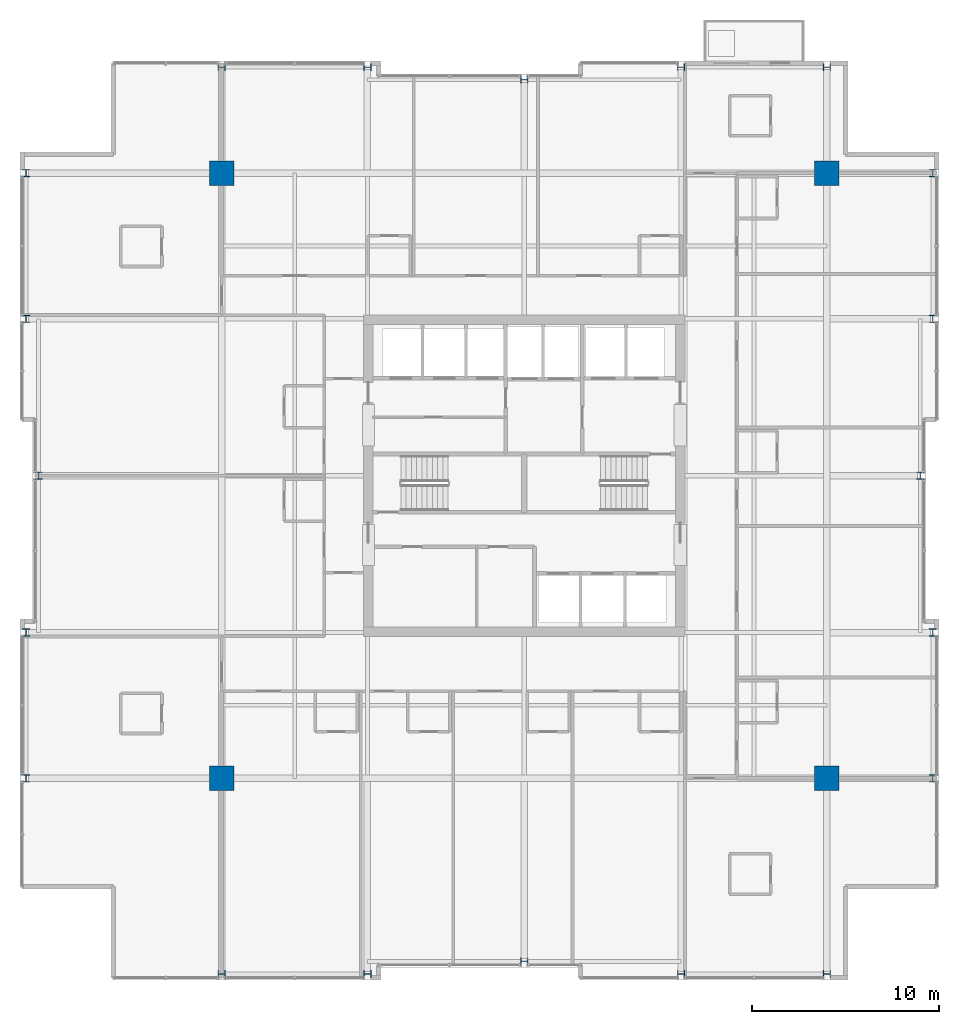
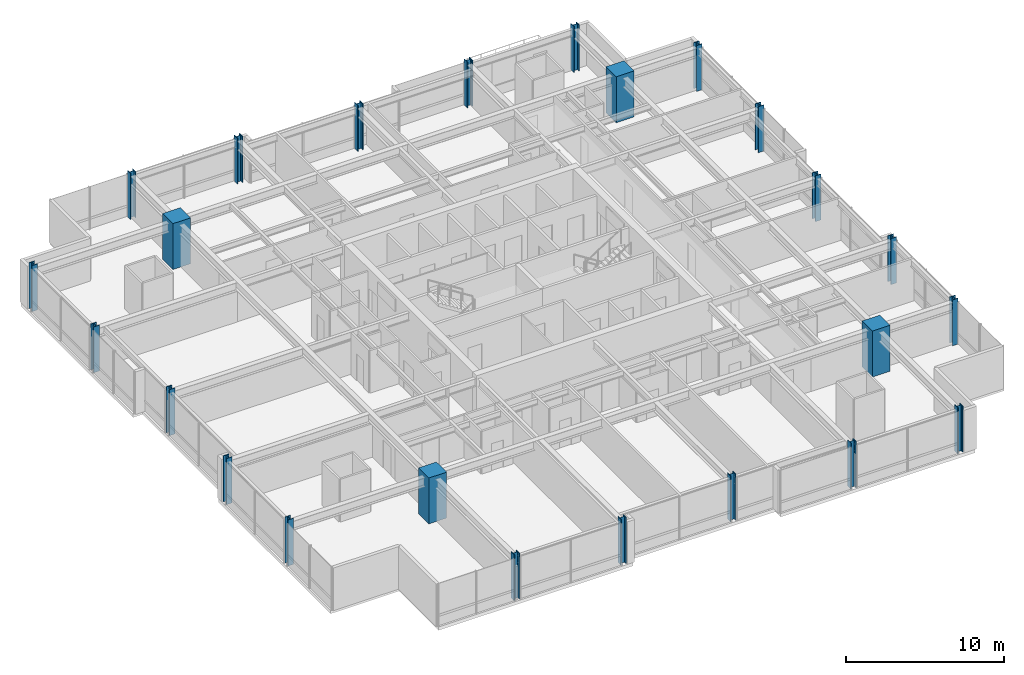
# One storey, part 1 of 33: 24 columns.
"""IFC4 building model written with IfcOpenShell, lengths in metres."""

from ifc_helpers import new_model, si_unit, direction, frame, origin, origin_2d, place, context, subcontext, project, spatial, rectangle, i_section, extrude, material, material_profile, profile_set, type_object, element, save


model = new_model("IFC4")

# Units and contexts
model_context = context("Model", 3, precision=1e-05, world=origin(), true_north=direction((0.0, 1.0)))
body_context = subcontext(model_context, "Body", "Model", "MODEL_VIEW")
ifc_project = project(units=[si_unit("LENGTHUNIT", "METRE"), si_unit("AREAUNIT", "SQUARE_METRE"), si_unit("VOLUMEUNIT", "CUBIC_METRE"), si_unit("PLANEANGLEUNIT", "RADIAN"), si_unit("MASSUNIT", "GRAM", prefix="KILO")], contexts=[model_context])

# Site, building, storey
site_placement = place(None, origin())
site = spatial("IfcSite", under=ifc_project, at=site_placement, CompositionType="ELEMENT")
building_placement = place(site_placement, origin())
building = spatial("IfcBuilding", under=site, at=building_placement, Name="Drelvath Grand Hotel", CompositionType="ELEMENT")
storey_placement = place(building_placement, frame((0.0, 0.0, 171.699951171875)))
storey = spatial("IfcBuildingStorey", under=building, at=storey_placement, Name="L44", CompositionType="ELEMENT", Elevation=171.699951171875)

# Columns
ifc_material_1 = material(Name="Concrete f'c 55 MPa", Category="concrete")
ifc_material_profile_1 = material_profile(ifc_material_1, rectangle(XDim=1.300048828125, YDim=1.300048828125, at=origin_2d()), Name="MC1300X1300")
ifc_profile_set_1 = profile_set([ifc_material_profile_1], Name="Concrete f'c 55 MPa")
column_type_1 = type_object("IfcColumnType", Name="Composite Mega Column MC1300X1300", PredefinedType="COLUMN", material=ifc_profile_set_1)
for number, where, z_axis, x_axis, name in (
    (1, (-16.199951171875, 10.800048828125, 0.0), (0.0, 0.0, 1.0), (1.0, 0.0, 0.0), "L44 Composite Mega Column MC-SW"),
    (2, (16.199951171875, 10.800048828125, 0.0), (0.0, 0.0, 1.0), (1.0, 0.0, 0.0), "L44 Composite Mega Column MC-SE"),
    (3, (-16.199951171875, 43.199951171875, 0.0), (0.0, 0.0, 1.0), (1.0, 0.0, 0.0), "L44 Composite Mega Column MC-NW"),
    (4, (16.199951171875, 43.199951171875, 0.0), (0.0, 0.0, 1.0), (1.0, 0.0, 0.0), "L44 Composite Mega Column MC-NE"),
):
    element("IfcColumn", number, at=place(storey_placement, frame(where, z_axis=z_axis, x_axis=x_axis)), inside=storey, type_object=column_type_1, Name=name, PredefinedType="COLUMN", context=body_context, shape_type="SweptSolid", body=[
        extrude(rectangle(XDim=1.300048828125, YDim=1.300048828125, at=origin_2d()), origin(), (0.0, 0.0, 1.0), 3.550048828125),
    ])
ifc_material_2 = material(Name="Steel ASTM A913 Gr 65", Category="steel")
ifc_material_profile_2 = material_profile(ifc_material_2, i_section(OverallWidth=0.40625, OverallDepth=0.416015625, WebThickness=0.02978515625, FlangeThickness=0.048095703125, FilletRadius=0.028076171875, at=origin_2d()), Name="W14X257")
ifc_profile_set_2 = profile_set([ifc_material_profile_2], Name="Steel ASTM A913 Gr 65")
column_type_2 = type_object("IfcColumnType", Name="Perimeter Steel Column W14X257", PredefinedType="COLUMN", material=ifc_profile_set_2)
for number, where, z_axis, x_axis, name in (
    (5, (-26.679931640625, 10.800048828125, 0.0), (0.0, 0.0, 1.0), (1.0, 0.0, 0.0), "L44 Structural Column TCW-C"),
    (6, (21.8798828125, 10.800048828125, 0.0), (0.0, 0.0, 1.0), (1.0, 0.0, 0.0), "L44 Structural Column TCE-C"),
    (7, (-26.679931640625, 18.60009765625, 0.0), (0.0, 0.0, 1.0), (1.0, 0.0, 0.0), "L44 Structural Column TCW-D"),
    (8, (21.8798828125, 18.60009765625, 0.0), (0.0, 0.0, 1.0), (1.0, 0.0, 0.0), "L44 Structural Column TCE-D"),
    (9, (-26.0, 27.0, 0.0), (0.0, 0.0, 1.0), (1.0, 0.0, 0.0), "L44 Structural Column TCW-E"),
    (10, (21.199951171875, 27.0, 0.0), (0.0, 0.0, 1.0), (1.0, 0.0, 0.0), "L44 Structural Column TCE-E"),
    (11, (-26.679931640625, 35.39990234375, 0.0), (0.0, 0.0, 1.0), (1.0, 0.0, 0.0), "L44 Structural Column TCW-F"),
    (12, (21.8798828125, 35.39990234375, 0.0), (0.0, 0.0, 1.0), (1.0, 0.0, 0.0), "L44 Structural Column TCE-F"),
    (13, (-26.679931640625, 43.199951171875, 0.0), (0.0, 0.0, 1.0), (1.0, 0.0, 0.0), "L44 Structural Column TCW-G"),
    (14, (21.8798828125, 43.199951171875, 0.0), (0.0, 0.0, 1.0), (1.0, 0.0, 0.0), "L44 Structural Column TCE-G"),
    (15, (-16.199951171875, 0.320068359375, 0.0), (0.0, 0.0, 1.0), (0.0, 1.0, 0.0), "L44 Structural Column TCS-3"),
    (16, (-16.199951171875, 48.8798828125, 0.0), (0.0, 0.0, 1.0), (0.0, 1.0, 0.0), "L44 Structural Column TCN-3"),
    (17, (-8.39990234375, 0.320068359375, 0.0), (0.0, 0.0, 1.0), (0.0, 1.0, 0.0), "L44 Structural Column TCS-4"),
    (18, (-8.39990234375, 48.8798828125, 0.0), (0.0, 0.0, 1.0), (0.0, 1.0, 0.0), "L44 Structural Column TCN-4"),
    (19, (0.0, 1.0, 0.0), (0.0, 0.0, 1.0), (0.0, 1.0, 0.0), "L44 Structural Column TCS-5"),
    (20, (0.0, 48.199951171875, 0.0), (0.0, 0.0, 1.0), (0.0, 1.0, 0.0), "L44 Structural Column TCN-5"),
    (21, (8.39990234375, 0.320068359375, 0.0), (0.0, 0.0, 1.0), (0.0, 1.0, 0.0), "L44 Structural Column TCS-6"),
    (22, (8.39990234375, 48.8798828125, 0.0), (0.0, 0.0, 1.0), (0.0, 1.0, 0.0), "L44 Structural Column TCN-6"),
    (23, (16.199951171875, 0.320068359375, 0.0), (0.0, 0.0, 1.0), (0.0, 1.0, 0.0), "L44 Structural Column TCS-7"),
    (24, (16.199951171875, 48.8798828125, 0.0), (0.0, 0.0, 1.0), (0.0, 1.0, 0.0), "L44 Structural Column TCN-7"),
):
    element("IfcColumn", number, at=place(storey_placement, frame(where, z_axis=z_axis, x_axis=x_axis)), inside=storey, type_object=column_type_2, Name=name, PredefinedType="COLUMN", context=body_context, shape_type="SweptSolid", body=[
        extrude(i_section(OverallWidth=0.40625, OverallDepth=0.416015625, WebThickness=0.02978515625, FlangeThickness=0.048095703125, FilletRadius=0.028076171875, at=origin_2d()), origin(), (0.0, 0.0, 1.0), 3.547119140625),
    ])

save(model, "model.ifc")
